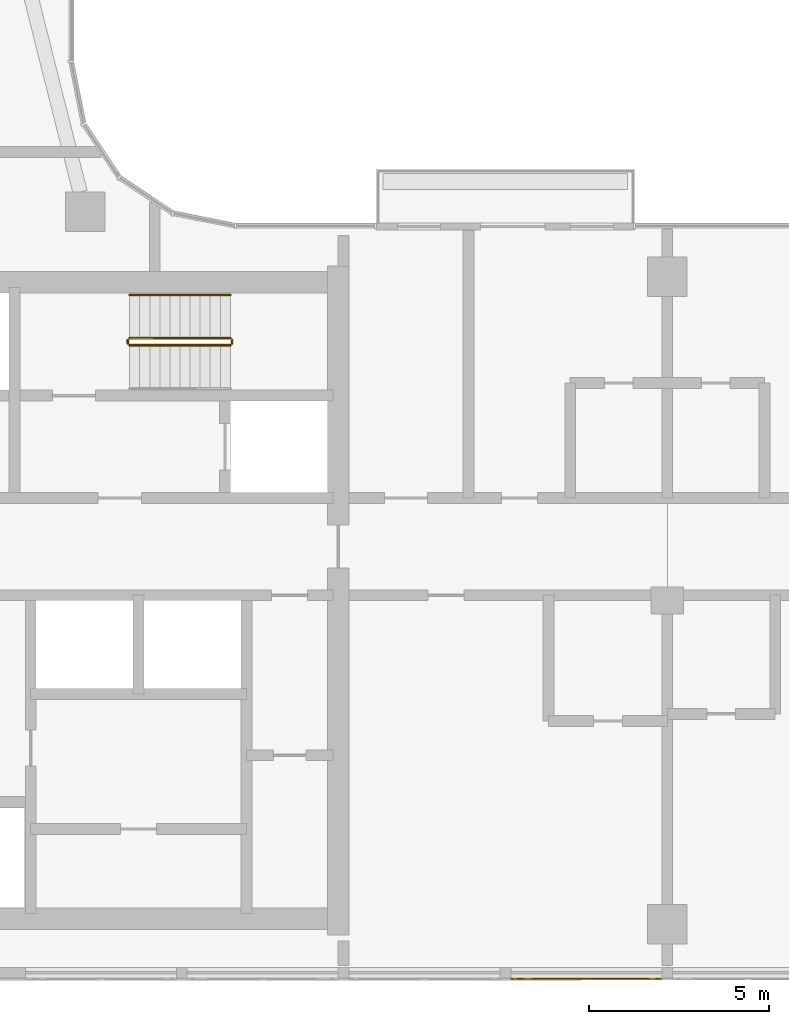
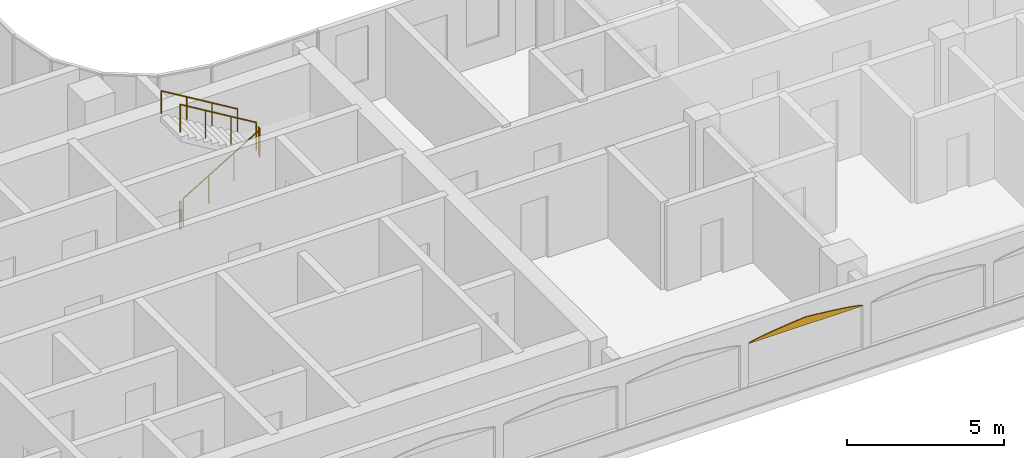
# One storey, part 18 of 22: 5 railings, 1 covering.
"""IFC4 building model written with IfcOpenShell, lengths in metres."""

import ifcopenshell
import ifcopenshell.guid

model = None  # the IFC model being written
_history = None  # IfcOwnerHistory: only IFC2X3 demands one
_inside = {}  # id of a spatial element -> (the spatial element, [elements in it])
_under = {}  # id of a project, library or spatial element -> (it, [spatial elements below it])
_declared = {}  # id of a project -> (the project, [libraries it declares])
_typed = {}  # id of a type object -> (the type object, [elements of that type])
_made_of = {}  # id of a material, layer set ... -> (it, [elements and type objects made of it])


def new_model(schema):
    """Start an empty IFC model of exactly this schema.

    Asked for "IFC4X3", IfcOpenShell would pick the latest addendum, in which some entities
    have other attributes; the version numbers below select the first issue.
    IFC2X3 requires an IfcOwnerHistory on every rooted entity: one is made here for all.
    """
    global model, _history
    if schema == "IFC4X3":
        model = ifcopenshell.file(schema_version=(4, 3, 0, 0))
    else:
        model = ifcopenshell.file(schema=schema)
    _inside.clear()
    _under.clear()
    _declared.clear()
    _typed.clear()
    _made_of.clear()
    _history = None
    if model.schema == "IFC2X3":
        org = make("IfcOrganization", Name="unknown")
        user = make(
            "IfcPersonAndOrganization",
            ThePerson=make("IfcPerson", FamilyName="unknown"),
            TheOrganization=org,
        )
        app = make(
            "IfcApplication",
            ApplicationDeveloper=org,
            Version="unknown",
            ApplicationFullName="unknown",
            ApplicationIdentifier="unknown",
        )
        _history = make(
            "IfcOwnerHistory",
            OwningUser=user,
            OwningApplication=app,
            ChangeAction="ADDED",
            CreationDate=0,
        )
    return model


def make(cls, **values):
    """One entity of the class cls with the attributes given. An attribute that is None is left unset."""
    return model.create_entity(
        cls, **{name: value for name, value in values.items() if value is not None}
    )


def rooted(cls, **values):
    """An entity with a GlobalId (a new one), such as an element, a storey or a relation."""
    return make(cls, GlobalId=ifcopenshell.guid.new(), OwnerHistory=_history, **values)


def si_unit(unit_type, name, prefix=None):
    """IfcSIUnit, for example si_unit("LENGTHUNIT", "METRE", prefix="MILLI")."""
    return make("IfcSIUnit", UnitType=unit_type, Prefix=prefix, Name=name)


def assignment(units):
    """IfcUnitAssignment: the units of a project."""
    return None if units is None else make("IfcUnitAssignment", Units=units)


def point(xyz):
    """IfcCartesianPoint."""
    return None if xyz is None else make("IfcCartesianPoint", Coordinates=xyz)


def direction(xyz):
    """IfcDirection."""
    return None if xyz is None else make("IfcDirection", DirectionRatios=xyz)


def frame(location, z_axis=None, x_axis=None):
    """IfcAxis2Placement3D, a coordinate frame: its origin and axes. An axis left out is left unset."""
    return make(
        "IfcAxis2Placement3D",
        Location=point(location),
        Axis=direction(z_axis),
        RefDirection=direction(x_axis),
    )


def frame_2d(location, x_axis=None):
    """IfcAxis2Placement2D, a coordinate frame in the plane: its origin and x axis."""
    return make(
        "IfcAxis2Placement2D", Location=point(location), RefDirection=direction(x_axis)
    )


def origin():
    """The frame at (0, 0, 0) with its axes left unset."""
    return frame((0.0, 0.0, 0.0))


def origin_2d():
    """The frame at (0, 0) in the plane with its x axis left unset."""
    return frame_2d((0.0, 0.0))


def place(relative_to, where):
    """IfcLocalPlacement: puts the frame where relative to a parent placement (None: the world)."""
    return make(
        "IfcLocalPlacement", PlacementRelTo=relative_to, RelativePlacement=where
    )


def context(
    kind, dimensions, precision=None, world=None, true_north=None, identifier=None
):
    """IfcGeometricRepresentationContext, for example the 3D "Model" context."""
    return make(
        "IfcGeometricRepresentationContext",
        ContextIdentifier=identifier,
        ContextType=kind,
        CoordinateSpaceDimension=dimensions,
        Precision=precision,
        WorldCoordinateSystem=world,
        TrueNorth=true_north,
    )


def subcontext(parent, identifier, kind, view, scale=None):
    """IfcGeometricRepresentationSubContext, for example "Body" below "Model"."""
    return make(
        "IfcGeometricRepresentationSubContext",
        ContextIdentifier=identifier,
        ContextType=kind,
        ParentContext=parent,
        TargetScale=scale,
        TargetView=view,
    )


def project(units=None, contexts=None):
    """IfcProject with its units and contexts."""
    return rooted(
        "IfcProject",
        Name="project",
        RepresentationContexts=contexts,
        UnitsInContext=assignment(units),
    )


def spatial(cls, under=None, at=None, **own):
    """A site, building, storey or space (cls), placed at a placement, below another one or the project."""
    s = rooted(cls, ObjectPlacement=at, **own)
    if under is not None:
        _under.setdefault(under.id(), (under, []))[1].append(s)
    return s


def polyline(points):
    """IfcPolyline through the points."""
    return make("IfcPolyline", Points=[point(p) for p in points])


def profile(cls, at=None, kind="AREA", **sizes):
    """A parametric profile (cls). Its sizes go by their IFC names, for example OverallWidth=200.0."""
    return make(cls, ProfileType=kind, Position=at, **sizes)


def circle(**sizes):
    """IfcCircleProfileDef."""
    return profile("IfcCircleProfileDef", **sizes)


def outline(outer, holes=None, kind="AREA"):
    """IfcArbitraryClosedProfileDef: a profile drawn as a closed curve; with holes, ...WithVoids."""
    if holes is None:
        return make("IfcArbitraryClosedProfileDef", ProfileType=kind, OuterCurve=outer)
    return make(
        "IfcArbitraryProfileDefWithVoids",
        ProfileType=kind,
        OuterCurve=outer,
        InnerCurves=holes,
    )


def extrude(swept, where, along, depth):
    """IfcExtrudedAreaSolid: the profile swept, set in the frame where, extruded along a direction by depth."""
    return make(
        "IfcExtrudedAreaSolid",
        SweptArea=swept,
        Position=where,
        ExtrudedDirection=direction(along),
        Depth=depth,
    )


def shape(context_of_items, identifier, shape_type, items):
    """IfcShapeRepresentation: the items that make up one representation, for example the "Body"."""
    return make(
        "IfcShapeRepresentation",
        ContextOfItems=context_of_items,
        RepresentationIdentifier=identifier,
        RepresentationType=shape_type,
        Items=items,
    )


def material(Name=None, Category=None):
    """IfcMaterial."""
    return make("IfcMaterial", Name=Name, Category=Category)


def layer(
    of_material, thickness, ventilated=None, Name=None, Category=None, Priority=None
):
    """IfcMaterialLayer: one layer of a wall or slab, of a material (None: an air gap)."""
    return make(
        "IfcMaterialLayer",
        Material=of_material,
        LayerThickness=thickness,
        IsVentilated=ventilated,
        Name=Name,
        Category=Category,
        Priority=Priority,
    )


def layer_set(layers, Name=None):
    """IfcMaterialLayerSet."""
    return make("IfcMaterialLayerSet", MaterialLayers=layers, LayerSetName=Name)


def made_of(thing, what):
    """Note that an element or type object is made of a material, layer set ...; save() writes the relation."""
    if what is not None:
        _made_of.setdefault(what.id(), (what, []))[1].append(thing)
    return thing


def type_object(cls, material=None, **own):
    """A type object (cls), such as IfcWallType, which elements share."""
    return made_of(rooted(cls, **own), material)


def element(
    cls,
    number,
    at=None,
    inside=None,
    cuts=None,
    type_object=None,
    material=None,
    context=None,
    identifier="Body",
    shape_type=None,
    held_by="IfcProductDefinitionShape",
    body=None,
    shapes=None,
    **own,
):
    """One element of the class cls, such as IfcWall. Its Tag is "e" and its number.

    at: its placement. inside: the storey or other place that contains it. cuts: it is an
    opening in that element (IfcRelVoidsElement). A single representation is given by context,
    identifier, shape_type and body (its items); several are given by shapes. held_by: the class
    of the entity that holds the representations. save() writes the other relations.
    """
    e = rooted(cls, Tag="e%d" % number, ObjectPlacement=at, **own)
    if body is not None:
        shapes = [shape(context, identifier, shape_type, body)]
    if shapes is not None:
        e.Representation = make(held_by, Representations=shapes)
    if inside is not None:
        _inside.setdefault(inside.id(), (inside, []))[1].append(e)
    if cuts is not None:
        rooted(
            "IfcRelVoidsElement", RelatingBuildingElement=cuts, RelatedOpeningElement=e
        )
    if type_object is not None:
        _typed.setdefault(type_object.id(), (type_object, []))[1].append(e)
    return made_of(e, material)


def aggregate(whole, parts):
    """IfcRelAggregates: a whole, such as a stair, and the parts it consists of."""
    return rooted("IfcRelAggregates", RelatingObject=whole, RelatedObjects=parts)


def save(model, path):
    """Write the relations noted so far, then the file.

    IfcRelAggregates (storeys below a building ...), IfcRelContainedInSpatialStructure (elements
    in a storey), IfcRelDefinesByType, IfcRelAssociatesMaterial and IfcRelDeclares: one each for
    every whole, place, type object, material and project.
    """
    for whole, parts in _under.values():
        aggregate(whole, parts)
    for where, things in _inside.values():
        rooted(
            "IfcRelContainedInSpatialStructure",
            RelatedElements=things,
            RelatingStructure=where,
        )
    for kind, things in _typed.values():
        rooted("IfcRelDefinesByType", RelatedObjects=things, RelatingType=kind)
    for what, things in _made_of.values():
        rooted("IfcRelAssociatesMaterial", RelatedObjects=things, RelatingMaterial=what)
    for by, libraries in _declared.values():
        rooted("IfcRelDeclares", RelatingContext=by, RelatedDefinitions=libraries)
    model.write(path)


model = new_model("IFC4")

# Units and contexts
model_context = context("Model", 3, precision=1e-05, world=origin(), true_north=direction((0.0, 1.0)))
body_context = subcontext(model_context, "Body", "Model", "MODEL_VIEW")
ifc_project = project(units=[si_unit("LENGTHUNIT", "METRE"), si_unit("AREAUNIT", "SQUARE_METRE"), si_unit("VOLUMEUNIT", "CUBIC_METRE"), si_unit("PLANEANGLEUNIT", "RADIAN"), si_unit("MASSUNIT", "GRAM", prefix="KILO")], contexts=[model_context])

# Site, building, storey
site_placement = place(None, origin())
site = spatial("IfcSite", under=ifc_project, at=site_placement, CompositionType="ELEMENT")
building_placement = place(site_placement, origin())
building = spatial("IfcBuilding", under=site, at=building_placement, Name="Ogive Portal Towers", CompositionType="ELEMENT")
storey_placement = place(building_placement, frame((0.0, 0.0, 145.89990234375)))
storey = spatial("IfcBuildingStorey", under=building, at=storey_placement, Name="L35", CompositionType="ELEMENT", Elevation=145.89990234375)

# Railings
ifc_material_1 = material(Name="Stainless steel balustrade", Category="steel")
railing_type_1 = type_object("IfcRailingType", Name="INT-GUARD", PredefinedType="GUARDRAIL", material=ifc_material_1)
railing_1_placement = place(storey_placement, frame((52.550048828125, 37.60009765625, 0.168212890625)))
element("IfcRailing", 1, at=railing_1_placement, inside=storey, type_object=railing_type_1, Name="L35 ST-A2 stair guard 1", PredefinedType="GUARDRAIL", context=body_context, shape_type="SweptSolid", body=[
    extrude(circle(Radius=0.02392578125, at=origin_2d()), frame((0.0, 0.0, 1.076171875), z_axis=(0.857242210791, 0.0, 0.514913383045), x_axis=(0.0, 1.0, 0.0)), (0.0, 0.0, 1.0), 3.266357421875),
    extrude(circle(Radius=0.02099609375, at=origin_2d()), origin(), (0.0, 0.0, 1.0), 1.052001953125),
    extrude(circle(Radius=0.02099609375, at=origin_2d()), frame((0.933349609375, 0.0, 0.560546875)), (0.0, 0.0, 1.0), 1.052001953125),
    extrude(circle(Radius=0.02099609375, at=origin_2d()), frame((1.86669921875, 0.0, 1.121337890625)), (0.0, 0.0, 1.0), 1.052001953125),
    extrude(circle(Radius=0.02099609375, at=origin_2d()), frame((2.800048828125, 0.0, 1.681884765625)), (0.0, 0.0, 1.0), 1.052001953125),
])
railing_2_placement = place(storey_placement, frame((55.39990234375, 37.64990234375, 1.85009765625)))
element("IfcRailing", 2, at=railing_2_placement, inside=storey, type_object=railing_type_1, Name="L35 ST-A2 stair guard 2", PredefinedType="GUARDRAIL", context=body_context, shape_type="SweptSolid", body=[
    extrude(circle(Radius=0.02392578125, at=origin_2d()), frame((0.0, 0.0, 1.076171875), z_axis=(0.0, 1.0, 0.0), x_axis=(-1.0, 0.0, 0.0)), (0.0, 0.0, 1.0), 0.10009765625),
    extrude(circle(Radius=0.02099609375, at=origin_2d()), origin(), (0.0, 0.0, 1.0), 1.052001953125),
    extrude(circle(Radius=0.02099609375, at=origin_2d()), frame((0.0, 0.10009765625, 0.0)), (0.0, 0.0, 1.0), 1.052001953125),
])
railing_3_placement = place(storey_placement, frame((55.35009765625, 37.800048828125, 2.018310546875)))
element("IfcRailing", 3, at=railing_3_placement, inside=storey, type_object=railing_type_1, Name="L35 ST-A2 stair guard 3", PredefinedType="GUARDRAIL", context=body_context, shape_type="SweptSolid", body=[
    extrude(circle(Radius=0.02392578125, at=origin_2d()), frame((0.0, 0.0, 1.076171875), z_axis=(-0.857242210791, 0.0, 0.514913383045), x_axis=(0.0, -1.0, 0.0)), (0.0, 0.0, 1.0), 3.266357421875),
    extrude(circle(Radius=0.02099609375, at=origin_2d()), origin(), (0.0, 0.0, 1.0), 1.052001953125),
    extrude(circle(Radius=0.02099609375, at=origin_2d()), frame((-0.933349609375, 0.0, 0.560546875)), (0.0, 0.0, 1.0), 1.052001953125),
    extrude(circle(Radius=0.02099609375, at=origin_2d()), frame((-1.86669921875, 0.0, 1.121337890625)), (0.0, 0.0, 1.0), 1.052001953125),
    extrude(circle(Radius=0.02099609375, at=origin_2d()), frame((-2.800048828125, 0.0, 1.681884765625)), (0.0, 0.0, 1.0), 1.052001953125),
])
railing_4_placement = place(storey_placement, frame((52.5, 37.64990234375, 0.0)))
element("IfcRailing", 4, at=railing_4_placement, inside=storey, type_object=railing_type_1, Name="L35 ST-A2 stair guard 4", PredefinedType="GUARDRAIL", context=body_context, shape_type="SweptSolid", body=[
    extrude(circle(Radius=0.02392578125, at=origin_2d()), frame((0.0, 0.0, 1.076171875), z_axis=(0.0, 1.0, 0.0), x_axis=(-1.0, 0.0, 0.0)), (0.0, 0.0, 1.0), 0.10009765625),
    extrude(circle(Radius=0.02099609375, at=origin_2d()), origin(), (0.0, 0.0, 1.0), 1.052001953125),
    extrude(circle(Radius=0.02099609375, at=origin_2d()), frame((0.0, 0.10009765625, 0.0)), (0.0, 0.0, 1.0), 1.052001953125),
])
ifc_material_2 = material(Name="Stainless steel handrail", Category="steel")
railing_type_2 = type_object("IfcRailingType", Name="INT-HANDRAIL", PredefinedType="HANDRAIL", material=ifc_material_2)
railing_5_placement = place(storey_placement, frame((55.35009765625, 39.0, 2.018310546875)))
element("IfcRailing", 5, at=railing_5_placement, inside=storey, type_object=railing_type_2, Name="L35 ST-A2 stair handrail 2", PredefinedType="HANDRAIL", context=body_context, shape_type="SweptSolid", body=[
    extrude(circle(Radius=0.02392578125, at=origin_2d()), frame((0.0, 0.0, 0.8759765625), z_axis=(-0.857242210791, 0.0, 0.514913383045), x_axis=(0.0, -1.0, 0.0)), (0.0, 0.0, 1.0), 3.266357421875),
    extrude(circle(Radius=0.02099609375, at=origin_2d()), origin(), (0.0, 0.0, 1.0), 0.851806640625),
    extrude(circle(Radius=0.02099609375, at=origin_2d()), frame((-0.933349609375, 0.0, 0.560546875)), (0.0, 0.0, 1.0), 0.851806640625),
    extrude(circle(Radius=0.02099609375, at=origin_2d()), frame((-1.86669921875, 0.0, 1.121337890625)), (0.0, 0.0, 1.0), 0.851806640625),
    extrude(circle(Radius=0.02099609375, at=origin_2d()), frame((-2.800048828125, 0.0, 1.681884765625)), (0.0, 0.0, 1.0), 0.851806640625),
])

# Covering
ifc_material_3 = material(Name="Limestone cladding on lightweight block wall", Category="masonry")
ifc_layer = layer(ifc_material_3, 0.0400390625)
ifc_layer_set = layer_set([ifc_layer], Name="LANCET HEAD STONE")
covering_type = type_object("IfcCoveringType", Name="LANCET HEAD STONE", PredefinedType="CLADDING", material=ifc_layer_set)
covering_placement = place(storey_placement, frame((63.14990234375, 20.0, 2.60009765625), z_axis=(0.0, 0.999948944021, 0.010104917167), x_axis=(1.0, 0.0, 0.0)))
element("IfcCovering", 6, at=covering_placement, inside=storey, type_object=covering_type, Name="Lancet head", PredefinedType="CLADDING", context=body_context, shape_type="SweptSolid", body=[
    extrude(outline(polyline([(0.0, 0.0), (4.2001953125, 0.0), (4.107177734375, -0.03760067070644378), (3.9375, -0.07495474623193346), (3.7177734375, -0.11255541693837724), (3.45751953125, -0.14990949246386692), (3.162353515625, -0.1875101631703107), (2.836181640625, -0.2251083668559618), (2.481201171875, -0.26246490940224415), (2.10009765625, -0.30006311308789524), (1.718994140625, -0.26246490940224415), (1.364013671875, -0.2251083668559618), (1.037841796875, -0.1875101631703107), (0.74267578125, -0.14990949246386692), (0.482421875, -0.11255541693837724), (0.2626953125, -0.07495474623193346), (0.093017578125, -0.03760067070644378), (0.0, 0.0)])), origin(), (0.0, 0.0, -1.0), 0.0400390625),
])

save(model, "model.ifc")
